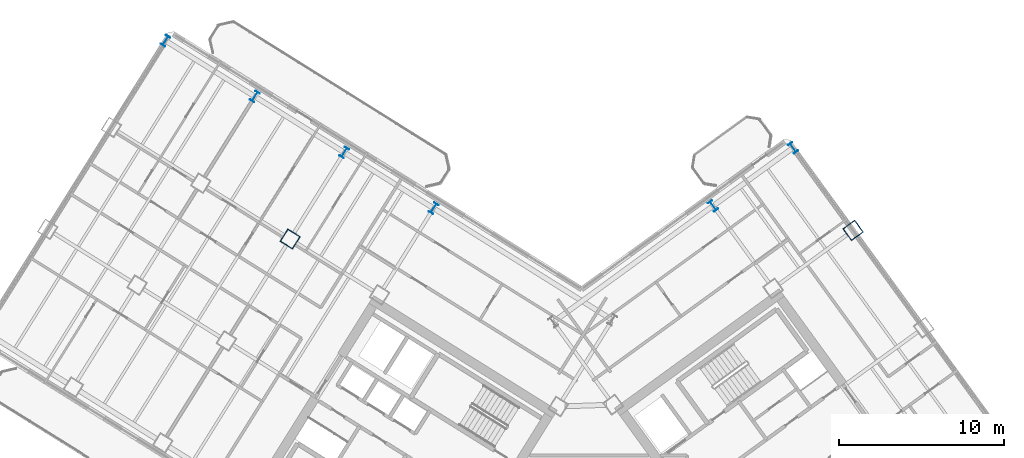
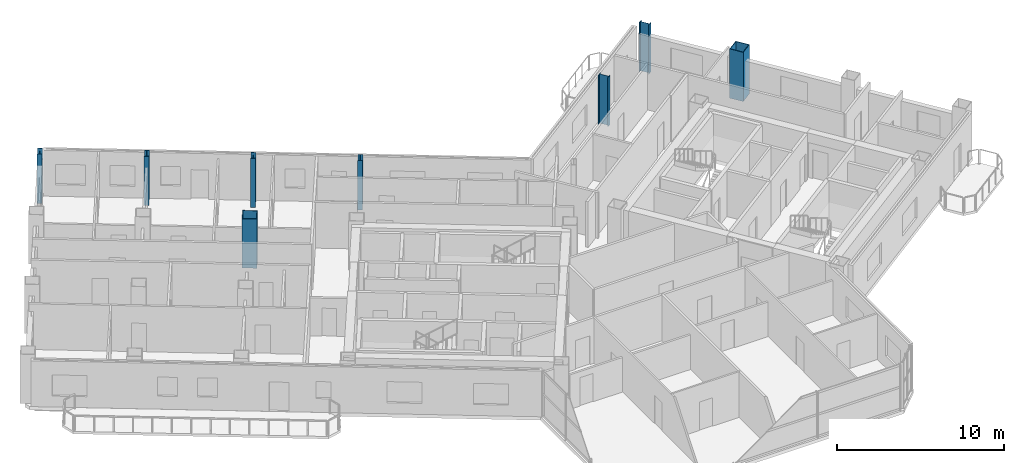
# One storey, part 3 of 21: 8 columns.
"""IFC4 building model written with IfcOpenShell, lengths in metres."""

from ifc_helpers import new_model, si_unit, direction, frame, origin, origin_2d, place, context, subcontext, project, spatial, hollow_rectangle, i_section, extrude, source, transform, mapped, material, material_profile, profile_set, type_object, element, save


model = new_model("IFC4")

# Units and contexts
model_context = context("Model", 3, precision=1e-05, world=origin(), true_north=direction((0.0, 1.0)))
body_context = subcontext(model_context, "Body", "Model", "MODEL_VIEW")
ifc_project = project(units=[si_unit("LENGTHUNIT", "METRE"), si_unit("AREAUNIT", "SQUARE_METRE"), si_unit("VOLUMEUNIT", "CUBIC_METRE"), si_unit("PLANEANGLEUNIT", "RADIAN"), si_unit("MASSUNIT", "GRAM", prefix="KILO")], contexts=[model_context])

# Site, building, storey
site_placement = place(None, origin())
site = spatial("IfcSite", under=ifc_project, at=site_placement, CompositionType="ELEMENT")
building_placement = place(site_placement, origin())
building = spatial("IfcBuilding", under=site, at=building_placement, Name="Tlacorven Tower", CompositionType="ELEMENT")
storey_placement = place(building_placement, frame((0.0, 0.0, 119.699951171875)))
storey = spatial("IfcBuildingStorey", under=building, at=storey_placement, Name="L30", CompositionType="ELEMENT", Elevation=119.699951171875)

# Columns
ifc_material = material(Name="Steel S460M", Category="steel")
ifc_material_profile_1 = material_profile(ifc_material, i_section(OverallWidth=0.300048828125, OverallDepth=0.64990234375, WebThickness=0.01611328125, FlangeThickness=0.031005859375, at=origin_2d()), Name="HEB 650")
ifc_profile_set_1 = profile_set([ifc_material_profile_1], Name="Steel S460M")
column_type_1 = type_object("IfcColumnType", Name="COL-TWR-P1", PredefinedType="COLUMN", material=ifc_profile_set_1)
shared_shape_1 = source(origin(), body_context, "Body", "SweptSolid", [
    extrude(i_section(OverallWidth=0.300048828125, OverallDepth=0.64990234375, WebThickness=0.01611328125, FlangeThickness=0.031005859375, at=origin_2d()), origin(), (0.0, 0.0, 1.0), 3.60009765625),
])
for number, where, z_axis, x_axis, name in (
    (1, (33.21337890625, 36.50927734375, 0.0), (0.0, 0.0, 1.0), (-0.848048096156, 0.529919264233, 0.0), "L30 column COL-L30-W3-1"),
    (2, (27.785888671875, 39.900634765625, 0.0), (0.0, 0.0, 1.0), (-0.848048096156, 0.529919264233, 0.0), "L30 column COL-L30-W4-1"),
    (3, (22.3583984375, 43.292236328125, 0.0), (0.0, 0.0, 1.0), (-0.848048096156, 0.529919264233, 0.0), "L30 column COL-L30-W5-1"),
    (4, (16.930908203125, 46.68359375, 0.0), (0.0, 0.0, 1.0), (-0.848048096156, 0.529919264233, 0.0), "L30 column COL-L30-W6-1"),
    (5, (50.187744140625, 36.654296875, 0.0), (0.0, 0.0, 1.0), (0.809016994375, 0.587785252292, 0.0), "L30 column COL-L30-E3-4"),
    (6, (55.041748046875, 40.18115234375, 0.0), (0.0, 0.0, 1.0), (0.809016994375, 0.587785252292, 0.0), "L30 column COL-L30-E4-4"),
):
    element("IfcColumn", number, at=place(storey_placement, frame(where, z_axis=z_axis, x_axis=x_axis)), inside=storey, type_object=column_type_1, Name=name, PredefinedType="COLUMN", context=body_context, shape_type="MappedRepresentation", body=[
        mapped(shared_shape_1, transform((0.0, 0.0, 0.0), scale=1.0)),
    ])
ifc_material_profile_2 = material_profile(ifc_material, hollow_rectangle(XDim=0.89990234375, YDim=0.89990234375, WallThickness=0.035888671875, at=origin_2d()), Name="BOX 900X900X36")
ifc_profile_set_2 = profile_set([ifc_material_profile_2], Name="Steel S460M")
column_type_2 = type_object("IfcColumnType", Name="COL-TWR-S2", PredefinedType="COLUMN", material=ifc_profile_set_2)
shared_shape_2 = source(origin(), body_context, "Body", "SweptSolid", [
    extrude(hollow_rectangle(XDim=0.89990234375, YDim=0.89990234375, WallThickness=0.035888671875, at=origin_2d()), origin(), (0.0, 0.0, 1.0), 3.60009765625),
])
for number, where, z_axis, x_axis, name in (
    (7, (24.50048828125, 34.642822265625, 0.0), (0.0, 0.0, 1.0), (-0.848048096156, 0.529919264233, 0.0), "L30 column COL-L30-W4-2"),
    (8, (58.68603515625, 35.165283203125, 0.0), (0.0, 0.0, 1.0), (0.809016994375, 0.587785252292, 0.0), "L30 column COL-L30-E4-3"),
):
    element("IfcColumn", number, at=place(storey_placement, frame(where, z_axis=z_axis, x_axis=x_axis)), inside=storey, type_object=column_type_2, Name=name, PredefinedType="COLUMN", context=body_context, shape_type="MappedRepresentation", body=[
        mapped(shared_shape_2, transform((0.0, 0.0, 0.0), scale=1.0)),
    ])

save(model, "model.ifc")
